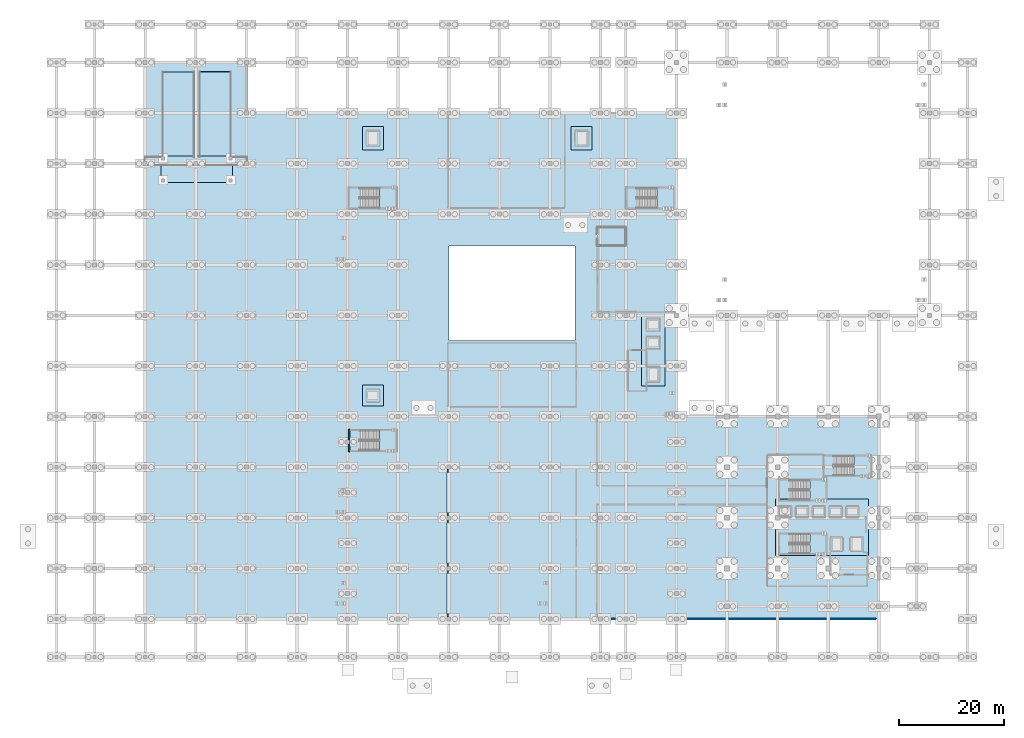
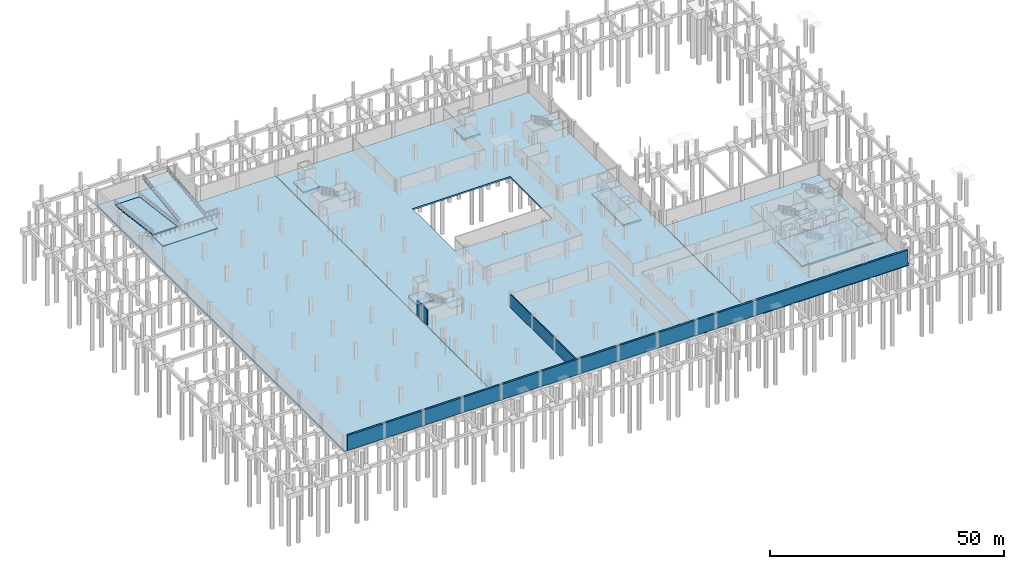
# One storey, part 37 of 54: 17 slabs, 3 walls, 6 elements without a shape of their own.
"""IFC4 building model written with IfcOpenShell, lengths in metres."""

from ifc_helpers import new_model, si_unit, direction, frame, frame_2d, origin, place, context, subcontext, project, spatial, polyline, rectangle, outline, extrude, material, layer, layer_set, type_object, element, aggregate, save


model = new_model("IFC4")

# Units and contexts
model_context = context("Model", 3, precision=1e-05, world=origin(), true_north=direction((0.0, 1.0)))
body_context = subcontext(model_context, "Body", "Model", "MODEL_VIEW")
ifc_project = project(units=[si_unit("LENGTHUNIT", "METRE"), si_unit("AREAUNIT", "SQUARE_METRE"), si_unit("VOLUMEUNIT", "CUBIC_METRE"), si_unit("PLANEANGLEUNIT", "RADIAN"), si_unit("MASSUNIT", "GRAM", prefix="KILO")], contexts=[model_context])

# Site, building, storey
site_placement = place(None, origin())
site = spatial("IfcSite", under=ifc_project, at=site_placement, CompositionType="ELEMENT")
building_placement = place(site_placement, origin())
building = spatial("IfcBuilding", under=site, at=building_placement, Name="Zevrakil Square Congress Hotel", CompositionType="ELEMENT")
storey_placement = place(building_placement, frame((0.0, 0.0, -8.39990234375)))
storey = spatial("IfcBuildingStorey", under=building, at=storey_placement, Name="B2", CompositionType="ELEMENT", Elevation=-8.39990234375)

# Slabs
ifc_material_1 = material(Name="Concrete C35/45", Category="concrete")
ifc_layer_1 = layer(ifc_material_1, 0.39990234375)
ifc_layer_set_1 = layer_set([ifc_layer_1], Name="Concrete C35/45")
slab_type_1 = type_object("IfcSlabType", Name="SLB-BASE-400", PredefinedType="BASESLAB", material=ifc_layer_set_1)
slab_1_placement = place(storey_placement, frame((0.0, 0.0, -0.400146484375)))
element("IfcSlab", 1, at=slab_1_placement, inside=storey, type_object=slab_type_1, Name="B2 subterranean structural slab (W joint block)", PredefinedType="BASESLAB", context=body_context, shape_type="SweptSolid", body=[
    extrude(outline(polyline([(16.800048828125, 7.199951171875), (16.800048828125, 112.800048828125), (36.0, 112.800048828125), (36.0, 103.199951171875), (55.175048828125, 103.199951171875), (55.175048828125, 7.199951171875), (16.800048828125, 7.199951171875)])), origin(), (0.0, 0.0, 1.0), 0.400146484375),
])
slab_2_placement = place(storey_placement, frame((0.0, 0.0, -0.400146484375)))
element("IfcSlab", 2, at=slab_2_placement, inside=storey, type_object=slab_type_1, Name="B2 subterranean structural slab (M joint block)", PredefinedType="BASESLAB", context=body_context, shape_type="SweptSolid", body=[
    extrude(outline(polyline([(55.22509765625, 7.199951171875), (55.22509765625, 103.199951171875), (117.574951171875, 103.199951171875), (117.574951171875, 7.199951171875), (55.22509765625, 7.199951171875)]), holes=[polyline([(74.39990234375, 60.0), (98.39990234375, 60.0), (98.39990234375, 78.0), (74.39990234375, 78.0), (74.39990234375, 60.0)])]), origin(), (0.0, 0.0, 1.0), 0.400146484375),
])
slab_3_placement = place(storey_placement, frame((0.0, 0.0, -0.400146484375)))
element("IfcSlab", 3, at=slab_3_placement, inside=storey, type_object=slab_type_1, Name="B2 subterranean structural slab (E joint block)", PredefinedType="BASESLAB", context=body_context, shape_type="SweptSolid", body=[
    extrude(outline(polyline([(156.0, 45.60009765625), (156.0, 7.199951171875), (117.625, 7.199951171875), (117.625, 45.60009765625), (156.0, 45.60009765625)])), origin(), (0.0, 0.0, 1.0), 0.400146484375),
])
ifc_material_2 = material(Name="Concrete C40/50", Category="concrete")
ifc_layer_2 = layer(ifc_material_2, 0.449951171875)
ifc_layer_set_2 = layer_set([ifc_layer_2], Name="Concrete C40/50")
slab_type_2 = type_object("IfcSlabType", Name="SLB-PIT-450", PredefinedType="BASESLAB", material=ifc_layer_set_2)
slab_4_placement = place(storey_placement, frame((0.0, 0.0, -1.400146484375)))
element("IfcSlab", 4, at=slab_4_placement, inside=storey, type_object=slab_type_2, Name="B2 lift pit base slab DRUM", PredefinedType="BASESLAB", context=body_context, shape_type="SweptSolid", body=[
    extrude(outline(polyline([(136.39990234375, 19.199951171875), (154.0, 19.199951171875), (154.0, 30.0), (136.39990234375, 30.0), (136.39990234375, 19.199951171875)])), origin(), (0.0, 0.0, 1.0), 0.449951171875),
])
slab_5_placement = place(storey_placement, frame((0.0, 0.0, -1.400146484375)))
element("IfcSlab", 5, at=slab_5_placement, inside=storey, type_object=slab_type_2, Name="B2 lift pit base slab CONG", PredefinedType="BASESLAB", context=body_context, shape_type="SweptSolid", body=[
    extrude(outline(polyline([(111.0, 51.39990234375), (115.39990234375, 51.39990234375), (115.39990234375, 65.0), (111.0, 65.0), (111.0, 51.39990234375)])), origin(), (0.0, 0.0, 1.0), 0.449951171875),
])
slab_6_placement = place(storey_placement, frame((0.0, 0.0, -1.400146484375)))
element("IfcSlab", 6, at=slab_6_placement, inside=storey, type_object=slab_type_2, Name="B2 lift pit base slab W1", PredefinedType="BASESLAB", context=body_context, shape_type="SweptSolid", body=[
    extrude(outline(polyline([(58.0, 47.60009765625), (62.0, 47.60009765625), (62.0, 51.60009765625), (58.0, 51.60009765625), (58.0, 47.60009765625)])), origin(), (0.0, 0.0, 1.0), 0.449951171875),
])
slab_7_placement = place(storey_placement, frame((0.0, 0.0, -1.400146484375)))
element("IfcSlab", 7, at=slab_7_placement, inside=storey, type_object=slab_type_2, Name="B2 lift pit base slab W2", PredefinedType="BASESLAB", context=body_context, shape_type="SweptSolid", body=[
    extrude(outline(polyline([(58.0, 96.199951171875), (62.0, 96.199951171875), (62.0, 100.60009765625), (58.0, 100.60009765625), (58.0, 96.199951171875)])), origin(), (0.0, 0.0, 1.0), 0.449951171875),
])
slab_8_placement = place(storey_placement, frame((0.0, 0.0, -1.400146484375)))
element("IfcSlab", 8, at=slab_8_placement, inside=storey, type_object=slab_type_2, Name="B2 lift pit base slab E2", PredefinedType="BASESLAB", context=body_context, shape_type="SweptSolid", body=[
    extrude(outline(polyline([(97.60009765625, 96.199951171875), (101.60009765625, 96.199951171875), (101.60009765625, 100.60009765625), (97.60009765625, 100.60009765625), (97.60009765625, 96.199951171875)])), origin(), (0.0, 0.0, 1.0), 0.449951171875),
])

# Stair, slab
ifc_material_3 = material(Name="Concrete C35/45", Category="concrete")
stair_type = type_object("IfcStairType", Name="STR-DOGLEG-180", PredefinedType="HALF_TURN_STAIR", material=ifc_material_3)
stair_1_placement = place(storey_placement, origin())
stair_1 = element("IfcStair", 9, at=stair_1_placement, inside=storey, type_object=stair_type, Name="B2 Protected exit stair ST01", PredefinedType="HALF_TURN_STAIR")
ifc_material_4 = material(Name="Concrete C35/45", Category="concrete")
ifc_layer_3 = layer(ifc_material_4, 0.199951171875)
ifc_layer_set_3 = layer_set([ifc_layer_3], Name="Concrete C35/45")
slab_type_3 = type_object("IfcSlabType", Name="SLB-STAIR-LAND-200", PredefinedType="LANDING", material=ifc_layer_set_3)
slab_9_placement = place(storey_placement, frame((0.0, 0.0, 1.89990234375)))
slab_9 = element("IfcSlab", 10, at=slab_9_placement, type_object=slab_type_3, Name="ST01 landing 1", PredefinedType="LANDING", context=body_context, shape_type="SweptSolid", body=[
    extrude(outline(polyline([(142.89990234375, 19.60009765625), (146.0, 19.60009765625), (146.0, 23.35009765625), (142.89990234375, 23.35009765625), (142.89990234375, 19.60009765625)])), origin(), (0.0, 0.0, 1.0), 0.199951171875),
])
aggregate(stair_1, [slab_9])

stair_2_placement = place(storey_placement, origin())
stair_2 = element("IfcStair", 11, at=stair_2_placement, inside=storey, type_object=stair_type, Name="B2 Protected exit stair ST02", PredefinedType="HALF_TURN_STAIR")
slab_10_placement = place(storey_placement, frame((0.0, 0.0, 1.89990234375)))
slab_10 = element("IfcSlab", 12, at=slab_10_placement, type_object=slab_type_3, Name="ST02 landing 1", PredefinedType="LANDING", context=body_context, shape_type="SweptSolid", body=[
    extrude(outline(polyline([(142.89990234375, 29.800048828125), (146.0, 29.800048828125), (146.0, 33.550048828125), (142.89990234375, 33.550048828125), (142.89990234375, 29.800048828125)])), origin(), (0.0, 0.0, 1.0), 0.199951171875),
])
aggregate(stair_2, [slab_10])

stair_3_placement = place(storey_placement, origin())
stair_3 = element("IfcStair", 13, at=stair_3_placement, inside=storey, type_object=stair_type, Name="B2 Protected exit stair ST03", PredefinedType="HALF_TURN_STAIR")
slab_11_placement = place(storey_placement, frame((0.0, 0.0, 1.89990234375)))
slab_11 = element("IfcSlab", 14, at=slab_11_placement, type_object=slab_type_3, Name="ST03 landing 1", PredefinedType="LANDING", context=body_context, shape_type="SweptSolid", body=[
    extrude(outline(polyline([(151.300048828125, 34.39990234375), (154.39990234375, 34.39990234375), (154.39990234375, 38.14990234375), (151.300048828125, 38.14990234375), (151.300048828125, 34.39990234375)])), origin(), (0.0, 0.0, 1.0), 0.199951171875),
])
aggregate(stair_3, [slab_11])

stair_4_placement = place(storey_placement, origin())
stair_4 = element("IfcStair", 15, at=stair_4_placement, inside=storey, type_object=stair_type, Name="B2 Protected exit stair ST04", PredefinedType="HALF_TURN_STAIR")
slab_12_placement = place(storey_placement, frame((0.0, 0.0, 1.89990234375)))
slab_12 = element("IfcSlab", 16, at=slab_12_placement, type_object=slab_type_3, Name="ST04 landing 1", PredefinedType="LANDING", context=body_context, shape_type="SweptSolid", body=[
    extrude(outline(polyline([(61.300048828125, 39.199951171875), (64.39990234375, 39.199951171875), (64.39990234375, 42.949951171875), (61.300048828125, 42.949951171875), (61.300048828125, 39.199951171875)])), origin(), (0.0, 0.0, 1.0), 0.199951171875),
])
aggregate(stair_4, [slab_12])

stair_5_placement = place(storey_placement, origin())
stair_5 = element("IfcStair", 17, at=stair_5_placement, inside=storey, type_object=stair_type, Name="B2 Protected exit stair ST05", PredefinedType="HALF_TURN_STAIR")
slab_13_placement = place(storey_placement, frame((0.0, 0.0, 1.89990234375)))
slab_13 = element("IfcSlab", 18, at=slab_13_placement, type_object=slab_type_3, Name="ST05 landing 1", PredefinedType="LANDING", context=body_context, shape_type="SweptSolid", body=[
    extrude(outline(polyline([(61.300048828125, 85.199951171875), (64.39990234375, 85.199951171875), (64.39990234375, 88.949951171875), (61.300048828125, 88.949951171875), (61.300048828125, 85.199951171875)])), origin(), (0.0, 0.0, 1.0), 0.199951171875),
])
aggregate(stair_5, [slab_13])

stair_6_placement = place(storey_placement, origin())
stair_6 = element("IfcStair", 19, at=stair_6_placement, inside=storey, type_object=stair_type, Name="B2 Protected exit stair ST06", PredefinedType="HALF_TURN_STAIR")
slab_14_placement = place(storey_placement, frame((0.0, 0.0, 1.89990234375)))
slab_14 = element("IfcSlab", 20, at=slab_14_placement, type_object=slab_type_3, Name="ST06 landing 1", PredefinedType="LANDING", context=body_context, shape_type="SweptSolid", body=[
    extrude(outline(polyline([(113.89990234375, 85.199951171875), (117.0, 85.199951171875), (117.0, 88.949951171875), (113.89990234375, 88.949951171875), (113.89990234375, 85.199951171875)])), origin(), (0.0, 0.0, 1.0), 0.199951171875),
])
aggregate(stair_6, [slab_14])

# Slabs
ifc_material_5 = material(Name="Concrete C40/50", Category="concrete")
ifc_layer_4 = layer(ifc_material_5, 0.25)
ifc_layer_set_4 = layer_set([ifc_layer_4], Name="Concrete C40/50")
slab_type_4 = type_object("IfcSlabType", Name="SLB-VRAMP-250", PredefinedType="FLOOR", material=ifc_layer_set_4)
slab_15_placement = place(storey_placement, frame((20.10009765625, 111.0, 0.0), z_axis=(0.0, 0.128545590647, 0.99170360044), x_axis=(1.0, 0.0, 0.0)))
element("IfcSlab", 21, at=slab_15_placement, inside=storey, type_object=slab_type_4, Name="Car park structural vehicle ramp R2 lower sloped slab VRS-2A", PredefinedType="FLOOR", context=body_context, shape_type="SweptSolid", body=[
    extrude(outline(polyline([(0.0, 0.0), (6.0, 0.0), (6.0, -16.33547681453519), (0.0, -16.33547681453519), (0.0, 0.0)])), origin(), (0.0, 0.0, -1.0), 0.25),
])
slab_16_placement = place(storey_placement, frame((27.10009765625, 94.800048828125, 2.099853515625), z_axis=(0.0, -0.128560289071, 0.991701695105), x_axis=(1.0, 0.0, 0.0)))
element("IfcSlab", 22, at=slab_16_placement, inside=storey, type_object=slab_type_4, Name="Car park structural vehicle ramp R2 upper sloped slab VRS-2B", PredefinedType="FLOOR", context=body_context, shape_type="SweptSolid", body=[
    extrude(outline(polyline([(0.0, 0.0), (6.0, 0.0), (6.0, 16.335508199530278), (0.0, 16.335508199530278), (0.0, 0.0)])), origin(), (0.0, 0.0, -1.0), 0.25),
])
ifc_material_6 = material(Name="Concrete C40/50", Category="concrete")
ifc_layer_5 = layer(ifc_material_6, 0.25)
ifc_layer_set_5 = layer_set([ifc_layer_5], Name="Concrete C40/50")
slab_type_5 = type_object("IfcSlabType", Name="SLB-VRLAND-250", PredefinedType="LANDING", material=ifc_layer_set_5)
slab_17_placement = place(storey_placement, frame((0.0, 0.0, 1.849853515625)))
element("IfcSlab", 23, at=slab_17_placement, inside=storey, type_object=slab_type_5, Name="Car park structural vehicle ramp R2 turning landing slab", PredefinedType="LANDING", context=body_context, shape_type="SweptSolid", body=[
    extrude(outline(polyline([(19.800048828125, 90.0), (33.39990234375, 90.0), (33.39990234375, 95.0), (19.800048828125, 95.0), (19.800048828125, 90.0)])), origin(), (0.0, 0.0, 1.0), 0.25),
])

# Walls
ifc_material_7 = material(Name="Concrete C35/45", Category="concrete")
ifc_layer_6 = layer(ifc_material_7, 0.239990234375)
ifc_layer_set_6 = layer_set([ifc_layer_6], Name="Concrete C35/45")
wall_type_1 = type_object("IfcWallType", Name="WAL-COMP-240", PredefinedType="SOLIDWALL", material=ifc_layer_set_6)
wall_1_placement = place(storey_placement, frame((74.199951171875, 7.574951171875, 0.0), z_axis=(0.0, 0.0, 1.0), x_axis=(0.0, 1.0, 0.0)))
element("IfcWall", 24, at=wall_1_placement, inside=storey, type_object=wall_type_1, Name="B2 interior partition PW-B2-0086", PredefinedType="SOLIDWALL", context=body_context, shape_type="SweptSolid", body=[
    extrude(rectangle(XDim=28.300048828125, YDim=0.239990234375, at=frame_2d((14.14990234375, 0.0))), origin(), (0.0, 0.0, 1.0), 3.414794921875),
])
ifc_material_8 = material(Name="Concrete C40/50", Category="concrete")
ifc_layer_7 = layer(ifc_material_8, 0.449951171875)
ifc_layer_set_7 = layer_set([ifc_layer_7], Name="Concrete C40/50")
wall_type_2 = type_object("IfcWallType", Name="WAL-RET-450", PredefinedType="SOLIDWALL", material=ifc_layer_set_7)
wall_2_placement = place(storey_placement, frame((17.300048828125, 7.199951171875, 0.0), z_axis=(0.0, 0.0, 1.0), x_axis=(1.0, 0.0, 0.0)))
element("IfcWall", 25, at=wall_2_placement, inside=storey, type_object=wall_type_2, Name="B2 perimeter concrete retaining wall 1", PredefinedType="SOLIDWALL", context=body_context, shape_type="SweptSolid", body=[
    extrude(rectangle(XDim=138.199951171875, YDim=0.449951171875, at=frame_2d((69.10009765625, 0.0))), origin(), (0.0, 0.0, 1.0), 3.929931640625),
])
ifc_material_9 = material(Name="Concrete C40/50", Category="concrete")
ifc_layer_8 = layer(ifc_material_9, 0.260009765625)
ifc_layer_set_8 = layer_set([ifc_layer_8], Name="Concrete C40/50")
wall_type_3 = type_object("IfcWallType", Name="WAL-SHAFT-260", PredefinedType="SHEAR", material=ifc_layer_set_8)
wall_3_placement = place(storey_placement, frame((55.5048828125, 38.93994140625, 0.0), z_axis=(0.0, 0.0, 1.0), x_axis=(0.0, 1.0, 0.0)))
element("IfcWall", 26, at=wall_3_placement, inside=storey, type_object=wall_type_3, Name="B2 ST04 stair shaft W wall", PredefinedType="SHEAR", context=body_context, shape_type="SweptSolid", body=[
    extrude(rectangle(XDim=4.27001953125, YDim=0.260009765625, at=frame_2d((2.135009765625, 0.0))), origin(), (0.0, 0.0, 1.0), 3.929931640625),
])

save(model, "model.ifc")
